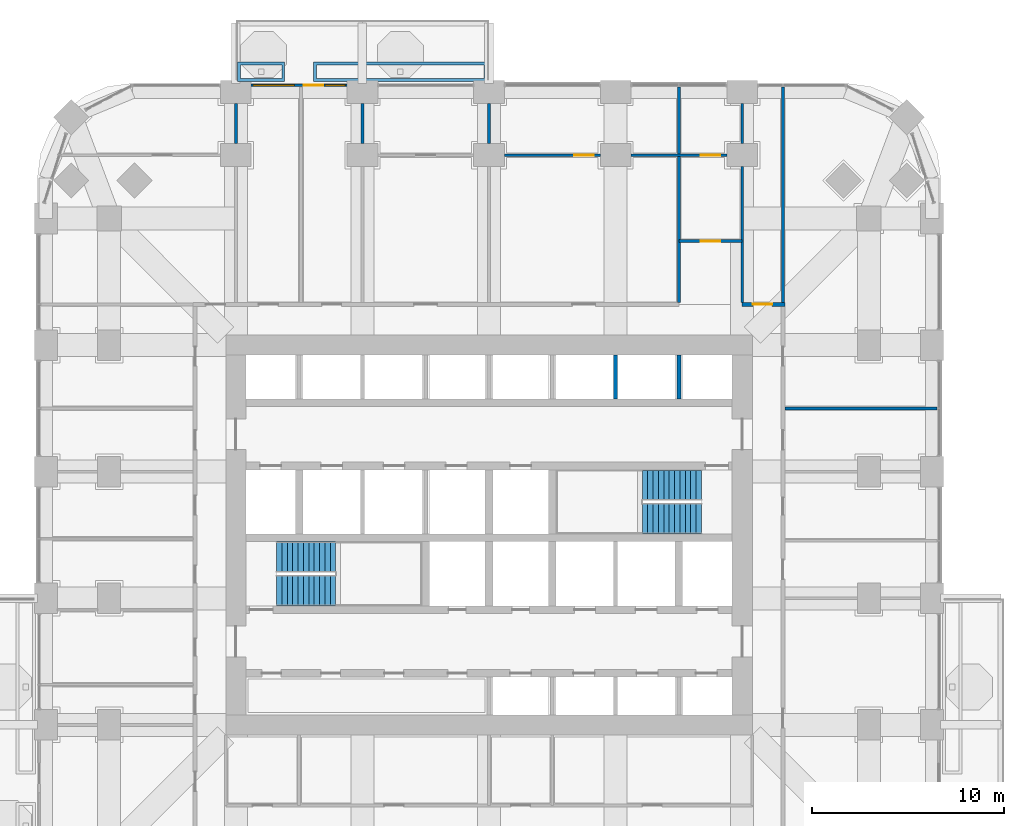
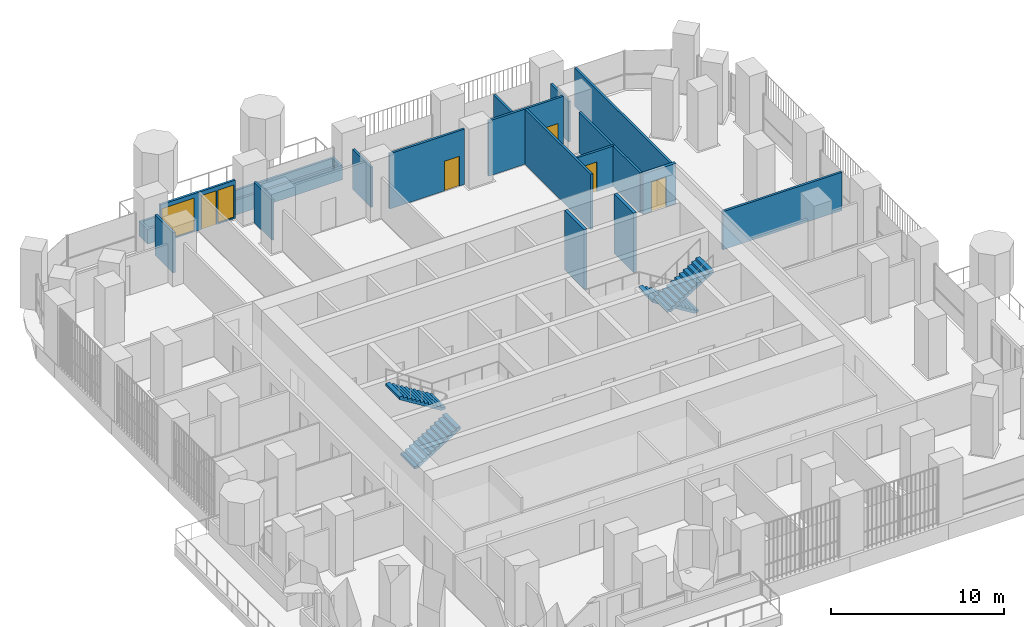
# One storey, part 16 of 21: 18 walls, 5 doors, 4 stair flights, 2 windows, 7 openings, 2 elements without a shape of their own.
"""IFC4 building model written with IfcOpenShell, lengths in metres."""

from ifc_helpers import new_model, si_unit, direction, frame, frame_2d, origin, place, context, subcontext, project, spatial, polyline, rectangle, outline, extrude, material, layer, layer_set, type_object, element, fill, aggregate, save


model = new_model("IFC4")

# Units and contexts
model_context = context("Model", 3, precision=1e-05, world=origin(), true_north=direction((0.0, 1.0)))
body_context = subcontext(model_context, "Body", "Model", "MODEL_VIEW")
ifc_project = project(units=[si_unit("LENGTHUNIT", "METRE"), si_unit("AREAUNIT", "SQUARE_METRE"), si_unit("VOLUMEUNIT", "CUBIC_METRE"), si_unit("PLANEANGLEUNIT", "RADIAN"), si_unit("MASSUNIT", "GRAM", prefix="KILO")], contexts=[model_context])

# Site, building, storey
site_placement = place(None, origin())
site = spatial("IfcSite", under=ifc_project, at=site_placement, CompositionType="ELEMENT")
building_placement = place(site_placement, origin())
building = spatial("IfcBuilding", under=site, at=building_placement, Name="Cobogo Forest Laboratory Tower", CompositionType="ELEMENT")
storey_placement = place(building_placement, frame((0.0, 0.0, 107.39990234375)))
storey = spatial("IfcBuildingStorey", under=building, at=storey_placement, Name="L24", CompositionType="ELEMENT", Elevation=107.39990234375)

# Wall, openings, door, windows
ifc_material_1 = material(Name="Aluminium framed glazed screen", Category="aluminium")
ifc_layer_1 = layer(ifc_material_1, 0.14990234375)
ifc_layer_set_1 = layer_set([ifc_layer_1], Name="GS1 glazed door screen 150")
wall_type_1 = type_object("IfcWallType", Name="GS1 glazed door screen 150", PredefinedType="SOLIDWALL", material=ifc_layer_set_1)
wall_1_placement = place(storey_placement, frame((19.0, 46.550048828125, 0.0), z_axis=(0.0, 0.0, 1.0), x_axis=(-1.0, 0.0, 0.0)))
wall_1 = element("IfcWall", 1, at=wall_1_placement, inside=storey, type_object=wall_type_1, Name="Door screen BAL-N1 L24", PredefinedType="SOLIDWALL", context=body_context, shape_type="SweptSolid", body=[
    extrude(rectangle(XDim=5.0, YDim=0.14990234375, at=frame_2d((2.5, 0.0))), origin(), (0.0, 0.0, 1.0), 2.7001953125),
])
opening_1_placement = place(wall_1_placement, frame((1.25, 0.0, 0.0)))
opening_1 = element("IfcOpeningElement", 2, at=opening_1_placement, cuts=wall_1, Name="Opening L24-D48", PredefinedType="OPENING", context=body_context, shape_type="SweptSolid", body=[
    extrude(rectangle(XDim=1.0, YDim=2.39990234375, at=frame_2d((0.5, 1.199951171875))), frame((0.0, 0.0849609375, 0.0), z_axis=(0.0, -1.0, 0.0), x_axis=(1.0, 0.0, 0.0)), (0.0, 0.0, 1.0), 0.169921875),
])
opening_2_placement = place(wall_1_placement, frame((0.10009765625, 0.0, 0.10009765625)))
opening_2 = element("IfcOpeningElement", 3, at=opening_2_placement, cuts=wall_1, Name="Opening L24-W08", PredefinedType="OPENING", context=body_context, shape_type="SweptSolid", body=[
    extrude(rectangle(XDim=1.050048828125, YDim=2.300048828125, at=frame_2d((0.52490234375, 1.14990234375))), frame((0.0, 0.0849609375, 0.0), z_axis=(0.0, -1.0, 0.0), x_axis=(1.0, 0.0, 0.0)), (0.0, 0.0, 1.0), 0.169921875),
])
opening_3_placement = place(wall_1_placement, frame((2.75, 0.0, 0.10009765625)))
opening_3 = element("IfcOpeningElement", 4, at=opening_3_placement, cuts=wall_1, Name="Opening L24-W07", PredefinedType="OPENING", context=body_context, shape_type="SweptSolid", body=[
    extrude(rectangle(XDim=2.14990234375, YDim=2.300048828125, at=frame_2d((1.074951171875, 1.14990234375))), frame((0.0, 0.0849609375, 0.0), z_axis=(0.0, -1.0, 0.0), x_axis=(1.0, 0.0, 0.0)), (0.0, 0.0, 1.0), 0.169921875),
])
ifc_material_2 = material(Name="Aluminium glazed door", Category="aluminium")
door_type_1 = type_object("IfcDoorType", Name="DB1 balcony door 1000 glazed", OperationType="SINGLE_SWING_LEFT", PredefinedType="DOOR", material=ifc_material_2)
door_1_placement = place(opening_1_placement, origin())
door_1 = element("IfcDoor", 5, at=door_1_placement, inside=storey, type_object=door_type_1, Name="Door L24-BAL-N1", OperationType="SINGLE_SWING_LEFT", OverallHeight=2.39990234375, OverallWidth=1.0, PredefinedType="DOOR", context=body_context, shape_type="SweptSolid", body=[
    extrude(rectangle(XDim=1.0, YDim=2.39990234375, at=frame_2d((0.5, 1.199951171875))), frame((0.0, 0.02490234375, 0.0), z_axis=(0.0, -1.0, 0.0), x_axis=(1.0, 0.0, 0.0)), (0.0, 0.0, 1.0), 0.050048828125),
])
fill(opening_1, door_1)
ifc_material_3 = material(Name="Aluminium framed glazing", Category="aluminium")
window_type_1 = type_object("IfcWindowType", Name="WG13 fixed glazed light 2150x2300", PartitioningType="SINGLE_PANEL", PredefinedType="WINDOW", material=ifc_material_3)
window_1_placement = place(opening_3_placement, origin())
window_1 = element("IfcWindow", 6, at=window_1_placement, inside=storey, type_object=window_type_1, Name="Window L24-BAL-N1-2", OverallHeight=2.300048828125, OverallWidth=2.14990234375, PartitioningType="SINGLE_PANEL", PredefinedType="WINDOW", context=body_context, shape_type="SweptSolid", body=[
    extrude(rectangle(XDim=2.14990234375, YDim=2.300048828125, at=frame_2d((1.074951171875, 1.14990234375))), frame((0.0, 0.030029296875, 0.0), z_axis=(0.0, -1.0, 0.0), x_axis=(1.0, 0.0, 0.0)), (0.0, 0.0, 1.0), 0.06005859375),
])
fill(opening_3, window_1)
window_type_2 = type_object("IfcWindowType", Name="WG14 fixed glazed light 1050x2300", PartitioningType="SINGLE_PANEL", PredefinedType="WINDOW", material=ifc_material_3)
window_2_placement = place(opening_2_placement, origin())
window_2 = element("IfcWindow", 7, at=window_2_placement, inside=storey, type_object=window_type_2, Name="Window L24-BAL-N1-1", OverallHeight=2.300048828125, OverallWidth=1.050048828125, PartitioningType="SINGLE_PANEL", PredefinedType="WINDOW", context=body_context, shape_type="SweptSolid", body=[
    extrude(rectangle(XDim=1.050048828125, YDim=2.300048828125, at=frame_2d((0.52490234375, 1.14990234375))), frame((0.0, 0.030029296875, 0.0), z_axis=(0.0, -1.0, 0.0), x_axis=(1.0, 0.0, 0.0)), (0.0, 0.0, 1.0), 0.06005859375),
])
fill(opening_2, window_2)

# Walls
ifc_material_4 = material(Name="Gypsum board on steel studs", Category="steel")
ifc_layer_2 = layer(ifc_material_4, 0.14990234375)
ifc_layer_set_2 = layer_set([ifc_layer_2], Name="PT1 laboratory partition 150")
wall_type_2 = type_object("IfcWallType", Name="PT1 laboratory partition 150", PredefinedType="PARTITIONING", material=ifc_layer_set_2)
wall_2_placement = place(storey_placement, frame((41.72509765625, 46.469970703125, 0.0), z_axis=(0.0, 0.0, 1.0), x_axis=(0.0, -1.0, 0.0)))
element("IfcWall", 8, at=wall_2_placement, inside=storey, type_object=wall_type_2, Name="Partition PW-NE L24", PredefinedType="PARTITIONING", context=body_context, shape_type="SweptSolid", body=[
    extrude(rectangle(XDim=11.244873046875, YDim=0.14990234375, at=frame_2d((5.62255859375, 0.0))), origin(), (0.0, 0.0, 1.0), 2.7001953125),
])
wall_3_placement = place(storey_placement, frame((49.77001953125, 29.699951171875, 0.0), z_axis=(0.0, 0.0, 1.0), x_axis=(-1.0, 0.0, 0.0)))
element("IfcWall", 9, at=wall_3_placement, inside=storey, type_object=wall_type_2, Name="Partition CUT-E29.7-1 L24", PredefinedType="PARTITIONING", context=body_context, shape_type="SweptSolid", body=[
    extrude(rectangle(XDim=7.945068359375, YDim=0.14990234375, at=frame_2d((3.97265625, 0.0))), origin(), (0.0, 0.0, 1.0), 2.7001953125),
])

# Wall, opening, door
wall_4_placement = place(storey_placement, frame((38.800048828125, 42.89990234375, 0.0), z_axis=(0.0, 0.0, 1.0), x_axis=(-1.0, 0.0, 0.0)))
wall_4 = element("IfcWall", 10, at=wall_4_placement, inside=storey, type_object=wall_type_2, Name="Partition STRIP-N-1 L24", PredefinedType="PARTITIONING", context=body_context, shape_type="SweptSolid", body=[
    extrude(rectangle(XDim=5.0, YDim=0.14990234375, at=frame_2d((2.5, 0.0))), origin(), (0.0, 0.0, 1.0), 3.900146484375),
])
opening_4_placement = place(wall_4_placement, frame((0.35009765625, 0.0, 0.0)))
opening_4 = element("IfcOpeningElement", 11, at=opening_4_placement, cuts=wall_4, Name="Opening L24-D47", PredefinedType="OPENING", context=body_context, shape_type="SweptSolid", body=[
    extrude(rectangle(XDim=1.0, YDim=2.10009765625, at=frame_2d((0.5, 1.050048828125))), frame((0.0, 0.0849609375, 0.0), z_axis=(0.0, -1.0, 0.0), x_axis=(1.0, 0.0, 0.0)), (0.0, 0.0, 1.0), 0.169921875),
])
ifc_material_5 = material(Name="Timber fire door", Category="wood")
door_type_2 = type_object("IfcDoorType", Name="FD2 fire door 1000 EI2 30", OperationType="SINGLE_SWING_LEFT", PredefinedType="DOOR", material=ifc_material_5)
door_2_placement = place(opening_4_placement, origin())
door_2 = element("IfcDoor", 12, at=door_2_placement, inside=storey, type_object=door_type_2, Name="Door L24-N4W", OperationType="SINGLE_SWING_LEFT", OverallHeight=2.10009765625, OverallWidth=1.0, PredefinedType="DOOR", context=body_context, shape_type="SweptSolid", body=[
    extrude(rectangle(XDim=1.0, YDim=2.10009765625, at=frame_2d((0.5, 1.050048828125))), frame((0.0, 0.02490234375, 0.0), z_axis=(0.0, -1.0, 0.0), x_axis=(1.0, 0.0, 0.0)), (0.0, 0.0, 1.0), 0.050048828125),
])
fill(opening_4, door_2)

wall_5_placement = place(storey_placement, frame((32.199951171875, 42.89990234375, 0.0), z_axis=(0.0, 0.0, 1.0), x_axis=(-1.0, 0.0, 0.0)))
wall_5 = element("IfcWall", 13, at=wall_5_placement, inside=storey, type_object=wall_type_2, Name="Partition STRIP-N-2 L24", PredefinedType="PARTITIONING", context=body_context, shape_type="SweptSolid", body=[
    extrude(rectangle(XDim=5.0, YDim=0.14990234375, at=frame_2d((2.5, 0.0))), origin(), (0.0, 0.0, 1.0), 3.900146484375),
])
opening_5_placement = place(wall_5_placement, frame((0.35009765625, 0.0, 0.0)))
opening_5 = element("IfcOpeningElement", 14, at=opening_5_placement, cuts=wall_5, Name="Opening L24-D46", PredefinedType="OPENING", context=body_context, shape_type="SweptSolid", body=[
    extrude(rectangle(XDim=1.0, YDim=2.10009765625, at=frame_2d((0.5, 1.050048828125))), frame((0.0, 0.0849609375, 0.0), z_axis=(0.0, -1.0, 0.0), x_axis=(1.0, 0.0, 0.0)), (0.0, 0.0, 1.0), 0.169921875),
])
door_3_placement = place(opening_5_placement, origin())
door_3 = element("IfcDoor", 15, at=door_3_placement, inside=storey, type_object=door_type_2, Name="Door L24-N3W", OperationType="SINGLE_SWING_LEFT", OverallHeight=2.10009765625, OverallWidth=1.0, PredefinedType="DOOR", context=body_context, shape_type="SweptSolid", body=[
    extrude(rectangle(XDim=1.0, YDim=2.10009765625, at=frame_2d((0.5, 1.050048828125))), frame((0.0, 0.02490234375, 0.0), z_axis=(0.0, -1.0, 0.0), x_axis=(1.0, 0.0, 0.0)), (0.0, 0.0, 1.0), 0.050048828125),
])
fill(opening_5, door_3)

# Wall
wall_6_placement = place(storey_placement, frame((19.800048828125, 45.60009765625, 0.0), z_axis=(0.0, 0.0, 1.0), x_axis=(0.0, -1.0, 0.0)))
element("IfcWall", 16, at=wall_6_placement, inside=storey, type_object=wall_type_2, Name="Partition SVC-N2-1 L24", PredefinedType="PARTITIONING", context=body_context, shape_type="SweptSolid", body=[
    extrude(rectangle(XDim=2.10009765625, YDim=0.14990234375, at=frame_2d((1.050048828125, 0.0))), origin(), (0.0, 0.0, 1.0), 2.85009765625),
])

# Wall, opening, door
wall_7_placement = place(storey_placement, frame((36.300048828125, 38.425048828125, 0.0), z_axis=(0.0, 0.0, 1.0), x_axis=(1.0, 0.0, 0.0)))
wall_7 = element("IfcWall", 17, at=wall_7_placement, inside=storey, type_object=wall_type_2, Name="Partition NODE-N-1 L24", PredefinedType="PARTITIONING", context=body_context, shape_type="SweptSolid", body=[
    extrude(rectangle(XDim=3.300048828125, YDim=0.14990234375, at=frame_2d((1.64990234375, 0.0))), origin(), (0.0, 0.0, 1.0), 2.85009765625),
])
opening_6_placement = place(wall_7_placement, frame((1.14990234375, 0.0, 0.0)))
opening_6 = element("IfcOpeningElement", 18, at=opening_6_placement, cuts=wall_7, Name="Opening L24-D43", PredefinedType="OPENING", context=body_context, shape_type="SweptSolid", body=[
    extrude(rectangle(XDim=1.0, YDim=2.10009765625, at=frame_2d((0.5, 1.050048828125))), frame((0.0, 0.0849609375, 0.0), z_axis=(0.0, -1.0, 0.0), x_axis=(1.0, 0.0, 0.0)), (0.0, 0.0, 1.0), 0.169921875),
])
door_4_placement = place(opening_6_placement, origin())
door_4 = element("IfcDoor", 19, at=door_4_placement, inside=storey, type_object=door_type_2, Name="Door L24-N4", OperationType="SINGLE_SWING_LEFT", OverallHeight=2.10009765625, OverallWidth=1.0, PredefinedType="DOOR", context=body_context, shape_type="SweptSolid", body=[
    extrude(rectangle(XDim=1.0, YDim=2.10009765625, at=frame_2d((0.5, 1.050048828125))), frame((0.0, 0.02490234375, 0.0), z_axis=(0.0, -1.0, 0.0), x_axis=(1.0, 0.0, 0.0)), (0.0, 0.0, 1.0), 0.050048828125),
])
fill(opening_6, door_4)

# Walls
for number, where, z_axis, x_axis, name in (
    (20, (13.199951171875, 45.60009765625, 0.0), (0.0, 0.0, 1.0), (0.0, -1.0, 0.0), "Partition CUT-N13.2-1 L24"),
    (21, (26.39990234375, 45.60009765625, 0.0), (0.0, 0.0, 1.0), (0.0, -1.0, 0.0), "Partition CUT-N26.4-1 L24"),
):
    element("IfcWall", number, at=place(storey_placement, frame(where, z_axis=z_axis, x_axis=x_axis)), inside=storey, type_object=wall_type_2, Name=name, PredefinedType="PARTITIONING", context=body_context, shape_type="SweptSolid", body=[
        extrude(rectangle(XDim=2.10009765625, YDim=0.14990234375, at=frame_2d((1.050048828125, 0.0))), origin(), (0.0, 0.0, 1.0), 2.85009765625),
    ])
wall_8_placement = place(storey_placement, frame((36.300048828125, 46.469970703125, 0.0), z_axis=(0.0, 0.0, 1.0), x_axis=(0.0, -1.0, 0.0)))
element("IfcWall", 22, at=wall_8_placement, inside=storey, type_object=wall_type_2, Name="Partition CUT-N36.3a-1 L24", PredefinedType="PARTITIONING", context=body_context, shape_type="SweptSolid", body=[
    extrude(rectangle(XDim=3.494873046875, YDim=0.14990234375, at=frame_2d((1.74755859375, 0.0))), origin(), (0.0, 0.0, 1.0), 2.7001953125),
])
wall_9_placement = place(storey_placement, frame((36.300048828125, 42.824951171875, 0.0), z_axis=(0.0, 0.0, 1.0), x_axis=(0.0, -1.0, 0.0)))
element("IfcWall", 23, at=wall_9_placement, inside=storey, type_object=wall_type_2, Name="Partition CUT-N36.3b-1 L24", PredefinedType="PARTITIONING", context=body_context, shape_type="SweptSolid", body=[
    extrude(rectangle(XDim=7.599853515625, YDim=0.14990234375, at=frame_2d((3.7998046875, 0.0))), origin(), (0.0, 0.0, 1.0), 3.900146484375),
])
wall_10_placement = place(storey_placement, frame((39.60009765625, 45.60009765625, 0.0), z_axis=(0.0, 0.0, 1.0), x_axis=(0.0, -1.0, 0.0)))
element("IfcWall", 24, at=wall_10_placement, inside=storey, type_object=wall_type_2, Name="Partition CUT-N39.6-1 L24", PredefinedType="PARTITIONING", context=body_context, shape_type="SweptSolid", body=[
    extrude(rectangle(XDim=2.10009765625, YDim=0.14990234375, at=frame_2d((1.050048828125, 0.0))), origin(), (0.0, 0.0, 1.0), 2.85009765625),
])
wall_11_placement = place(storey_placement, frame((39.60009765625, 42.300048828125, 0.0), z_axis=(0.0, 0.0, 1.0), x_axis=(0.0, -1.0, 0.0)))
element("IfcWall", 25, at=wall_11_placement, inside=storey, type_object=wall_type_2, Name="Partition CUT-N39.6-2 L24", PredefinedType="PARTITIONING", context=body_context, shape_type="SweptSolid", body=[
    extrude(rectangle(XDim=7.074951171875, YDim=0.14990234375, at=frame_2d((3.53759765625, 0.0))), origin(), (0.0, 0.0, 1.0), 2.85009765625),
])

# Wall, opening, door
ifc_layer_3 = layer(ifc_material_4, 0.199951171875)
ifc_layer_set_3 = layer_set([ifc_layer_3], Name="PT2 fire-rated corridor partition 200")
wall_type_3 = type_object("IfcWallType", Name="PT2 fire-rated corridor partition 200", PredefinedType="PARTITIONING", material=ifc_layer_set_3)
wall_12_placement = place(storey_placement, frame((39.60009765625, 35.125, 0.0), z_axis=(0.0, 0.0, 1.0), x_axis=(1.0, 0.0, 0.0)))
wall_12 = element("IfcWall", 26, at=wall_12_placement, inside=storey, type_object=wall_type_3, Name="Partition CORR-N-2 L24", PredefinedType="PARTITIONING", context=body_context, shape_type="SweptSolid", body=[
    extrude(rectangle(XDim=2.224853515625, YDim=0.199951171875, at=frame_2d((1.1123046875, 0.0))), origin(), (0.0, 0.0, 1.0), 2.85009765625),
])
opening_7_placement = place(wall_12_placement, frame((0.5625, 0.0, 0.0)))
opening_7 = element("IfcOpeningElement", 27, at=opening_7_placement, cuts=wall_12, Name="Opening L24-D42", PredefinedType="OPENING", context=body_context, shape_type="SweptSolid", body=[
    extrude(rectangle(XDim=1.0, YDim=2.10009765625, at=frame_2d((0.5, 1.050048828125))), frame((0.0, 0.10986328125, 0.0), z_axis=(0.0, -1.0, 0.0), x_axis=(1.0, 0.0, 0.0)), (0.0, 0.0, 1.0), 0.219970703125),
])
door_5_placement = place(opening_7_placement, origin())
door_5 = element("IfcDoor", 28, at=door_5_placement, inside=storey, type_object=door_type_2, Name="Door L24-N5", OperationType="SINGLE_SWING_LEFT", OverallHeight=2.10009765625, OverallWidth=1.0, PredefinedType="DOOR", context=body_context, shape_type="SweptSolid", body=[
    extrude(rectangle(XDim=1.0, YDim=2.10009765625, at=frame_2d((0.5, 1.050048828125))), frame((0.0, 0.02490234375, 0.0), z_axis=(0.0, -1.0, 0.0), x_axis=(1.0, 0.0, 0.0)), (0.0, 0.0, 1.0), 0.050048828125),
])
fill(opening_7, door_5)

# Walls
ifc_material_6 = material(Name="Concrete HA-40 (C40/50)", Category="concrete")
ifc_layer_4 = layer(ifc_material_6, 0.14990234375)
ifc_layer_set_4 = layer_set([ifc_layer_4], Name="Planter box 1000x1050")
wall_type_4 = type_object("IfcWallType", Name="Planter box 1000x1050", PredefinedType="USERDEFINED", material=ifc_layer_set_4)
wall_13_placement = place(storey_placement, origin())
element("IfcWall", 29, at=wall_13_placement, inside=storey, type_object=wall_type_4, Name="Planter BAL-N1-1 L24", ObjectType="PLANTER", PredefinedType="USERDEFINED", context=body_context, shape_type="SweptSolid", body=[
    extrude(outline(polyline([(13.300048828125, 46.75), (15.75, 46.75), (15.75, 47.75), (13.300048828125, 47.75), (13.300048828125, 46.75)]), holes=[polyline([(13.449951171875, 46.89990234375), (15.60009765625, 46.89990234375), (15.60009765625, 47.60009765625), (13.449951171875, 47.60009765625), (13.449951171875, 46.89990234375)])]), origin(), (0.0, 0.0, 1.0), 1.050048828125),
])
wall_14_placement = place(storey_placement, origin())
element("IfcWall", 30, at=wall_14_placement, inside=storey, type_object=wall_type_4, Name="Planter BAL-N1-2 L24", ObjectType="PLANTER", PredefinedType="USERDEFINED", context=body_context, shape_type="SweptSolid", body=[
    extrude(outline(polyline([(17.25, 46.75), (26.300048828125, 46.75), (26.300048828125, 47.75), (17.25, 47.75), (17.25, 46.75)]), holes=[polyline([(17.39990234375, 46.89990234375), (26.14990234375, 46.89990234375), (26.14990234375, 47.60009765625), (17.39990234375, 47.60009765625), (17.39990234375, 46.89990234375)])]), origin(), (0.0, 0.0, 1.0), 1.050048828125),
])
ifc_material_7 = material(Name="Concrete block", Category="concrete")
ifc_layer_5 = layer(ifc_material_7, 0.199951171875)
ifc_layer_set_5 = layer_set([ifc_layer_5], Name="SW200 lift shaft separator 200")
wall_type_5 = type_object("IfcWallType", Name="SW200 lift shaft separator 200", PredefinedType="PARTITIONING", material=ifc_layer_set_5)
for number, where, z_axis, x_axis, name in (
    (31, (33.0, 30.199951171875, 0.0), (0.0, 0.0, 1.0), (0.0, 1.0, 0.0), "Core wall SEP-N6 L24"),
    (32, (36.300048828125, 30.199951171875, 0.0), (0.0, 0.0, 1.0), (0.0, 1.0, 0.0), "Core wall SEP-N7 L24"),
):
    element("IfcWall", number, at=place(storey_placement, frame(where, z_axis=z_axis, x_axis=x_axis)), inside=storey, type_object=wall_type_5, Name=name, PredefinedType="PARTITIONING", context=body_context, shape_type="SweptSolid", body=[
        extrude(rectangle(XDim=2.275146484375, YDim=0.199951171875, at=frame_2d((1.1376953125, 0.0))), origin(), (0.0, 0.0, 1.0), 4.2001953125),
    ])

# Stair, stair flights
ifc_material_8 = material(Name="Precast concrete HA-40 (C40/50)", Category="concrete")
stair_type = type_object("IfcStairType", Name="ST24 exit stair 24 risers", PredefinedType="HALF_TURN_STAIR", material=ifc_material_8)
stair_1_placement = place(storey_placement, origin())
stair_1 = element("IfcStair", 33, at=stair_1_placement, inside=storey, type_object=stair_type, Name="Stair 1 L24 to L25", PredefinedType="HALF_TURN_STAIR")
stair_flight_type = type_object("IfcStairFlightType", Name="ST stair flight 280 going", PredefinedType="STRAIGHT", material=ifc_material_8)
stair_flight_1_placement = place(storey_placement, frame((15.324951171875, 20.199951171875, 0.0), z_axis=(0.0, 0.0, 1.0), x_axis=(1.0, 0.0, 0.0)))
stair_flight_1 = element("IfcStairFlight", 34, at=stair_flight_1_placement, type_object=stair_flight_type, Name="ST1 flight 1", NumberOfRisers=12, NumberOfTreads=11, PredefinedType="STRAIGHT", RiserHeight=0.175, TreadLength=0.28, context=body_context, shape_type="SweptSolid", body=[
    extrude(outline(polyline([(0.0, 0.0), (0.0, 0.175048828125), (0.280029296875, 0.175048828125), (0.280029296875, 0.35009765625), (0.56005859375, 0.35009765625), (0.56005859375, 0.52490234375), (0.840087890625, 0.52490234375), (0.840087890625, 0.699951171875), (1.1201171875, 0.699951171875), (1.1201171875, 0.875), (1.39990234375, 0.875), (1.39990234375, 1.050048828125), (1.679931640625, 1.050048828125), (1.679931640625, 1.22509765625), (1.9599609375, 1.22509765625), (1.9599609375, 1.39990234375), (2.239990234375, 1.39990234375), (2.239990234375, 1.574951171875), (2.52001953125, 1.574951171875), (2.52001953125, 1.75), (2.800048828125, 1.75), (2.800048828125, 1.925048828125), (3.080078125, 1.925048828125), (3.080078125, 2.10009765625), (3.080078125, 1.748291015625), (0.28271484375, 0.0), (0.0, 0.0)])), frame((0.0, 0.800048828125, 0.0), z_axis=(0.0, -1.0, 0.0), x_axis=(1.0, 0.0, 0.0)), (0.0, 0.0, 1.0), 1.60009765625),
])
stair_flight_2_placement = place(storey_placement, frame((18.405029296875, 21.949951171875, 2.10009765625), z_axis=(0.0, 0.0, 1.0), x_axis=(-1.0, 0.0, 0.0)))
stair_flight_2 = element("IfcStairFlight", 35, at=stair_flight_2_placement, type_object=stair_flight_type, Name="ST1 flight 2", NumberOfRisers=12, NumberOfTreads=11, PredefinedType="STRAIGHT", RiserHeight=0.175, TreadLength=0.28, context=body_context, shape_type="SweptSolid", body=[
    extrude(outline(polyline([(0.0, 0.0), (0.0, 0.175048828125), (0.280029296875, 0.175048828125), (0.280029296875, 0.35009765625), (0.56005859375, 0.35009765625), (0.56005859375, 0.52490234375), (0.840087890625, 0.52490234375), (0.840087890625, 0.699951171875), (1.1201171875, 0.699951171875), (1.1201171875, 0.875), (1.39990234375, 0.875), (1.39990234375, 1.050048828125), (1.679931640625, 1.050048828125), (1.679931640625, 1.22509765625), (1.9599609375, 1.22509765625), (1.9599609375, 1.39990234375), (2.239990234375, 1.39990234375), (2.239990234375, 1.574951171875), (2.52001953125, 1.574951171875), (2.52001953125, 1.75), (2.800048828125, 1.75), (2.800048828125, 1.925048828125), (3.080078125, 1.925048828125), (3.080078125, 2.10009765625), (3.080078125, 1.748291015625), (0.28271484375, 0.0), (0.0, 0.0)])), frame((0.0, 0.800048828125, 0.0), z_axis=(0.0, -1.0, 0.0), x_axis=(1.0, 0.0, 0.0)), (0.0, 0.0, 1.0), 1.60009765625),
])
aggregate(stair_1, [stair_flight_1, stair_flight_2])

stair_2_placement = place(storey_placement, origin())
stair_2 = element("IfcStair", 36, at=stair_2_placement, inside=storey, type_object=stair_type, Name="Stair 2 L24 to L25", PredefinedType="HALF_TURN_STAIR")
stair_flight_3_placement = place(storey_placement, frame((37.47509765625, 25.699951171875, 0.0), z_axis=(0.0, 0.0, 1.0), x_axis=(-1.0, 0.0, 0.0)))
stair_flight_3 = element("IfcStairFlight", 37, at=stair_flight_3_placement, type_object=stair_flight_type, Name="ST2 flight 1", NumberOfRisers=12, NumberOfTreads=11, PredefinedType="STRAIGHT", RiserHeight=0.175, TreadLength=0.28, context=body_context, shape_type="SweptSolid", body=[
    extrude(outline(polyline([(0.0, 0.0), (0.0, 0.175048828125), (0.280029296875, 0.175048828125), (0.280029296875, 0.35009765625), (0.56005859375, 0.35009765625), (0.56005859375, 0.52490234375), (0.840087890625, 0.52490234375), (0.840087890625, 0.699951171875), (1.1201171875, 0.699951171875), (1.1201171875, 0.875), (1.39990234375, 0.875), (1.39990234375, 1.050048828125), (1.679931640625, 1.050048828125), (1.679931640625, 1.22509765625), (1.9599609375, 1.22509765625), (1.9599609375, 1.39990234375), (2.239990234375, 1.39990234375), (2.239990234375, 1.574951171875), (2.52001953125, 1.574951171875), (2.52001953125, 1.75), (2.800048828125, 1.75), (2.800048828125, 1.925048828125), (3.080078125, 1.925048828125), (3.080078125, 2.10009765625), (3.080078125, 1.748291015625), (0.28271484375, 0.0), (0.0, 0.0)])), frame((0.0, 0.800048828125, 0.0), z_axis=(0.0, -1.0, 0.0), x_axis=(1.0, 0.0, 0.0)), (0.0, 0.0, 1.0), 1.60009765625),
])
stair_flight_4_placement = place(storey_placement, frame((34.39501953125, 23.949951171875, 2.10009765625), z_axis=(0.0, 0.0, 1.0), x_axis=(1.0, 0.0, 0.0)))
stair_flight_4 = element("IfcStairFlight", 38, at=stair_flight_4_placement, type_object=stair_flight_type, Name="ST2 flight 2", NumberOfRisers=12, NumberOfTreads=11, PredefinedType="STRAIGHT", RiserHeight=0.175, TreadLength=0.28, context=body_context, shape_type="SweptSolid", body=[
    extrude(outline(polyline([(0.0, 0.0), (0.0, 0.175048828125), (0.280029296875, 0.175048828125), (0.280029296875, 0.35009765625), (0.56005859375, 0.35009765625), (0.56005859375, 0.52490234375), (0.840087890625, 0.52490234375), (0.840087890625, 0.699951171875), (1.1201171875, 0.699951171875), (1.1201171875, 0.875), (1.39990234375, 0.875), (1.39990234375, 1.050048828125), (1.679931640625, 1.050048828125), (1.679931640625, 1.22509765625), (1.9599609375, 1.22509765625), (1.9599609375, 1.39990234375), (2.239990234375, 1.39990234375), (2.239990234375, 1.574951171875), (2.52001953125, 1.574951171875), (2.52001953125, 1.75), (2.800048828125, 1.75), (2.800048828125, 1.925048828125), (3.080078125, 1.925048828125), (3.080078125, 2.10009765625), (3.080078125, 1.748291015625), (0.28271484375, 0.0), (0.0, 0.0)])), frame((0.0, 0.800048828125, 0.0), z_axis=(0.0, -1.0, 0.0), x_axis=(1.0, 0.0, 0.0)), (0.0, 0.0, 1.0), 1.60009765625),
])
aggregate(stair_2, [stair_flight_3, stair_flight_4])

save(model, "model.ifc")
